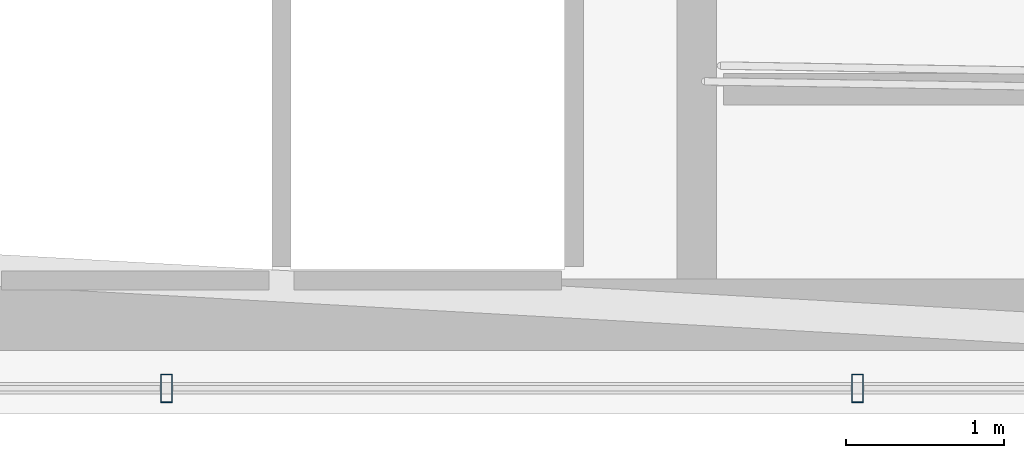
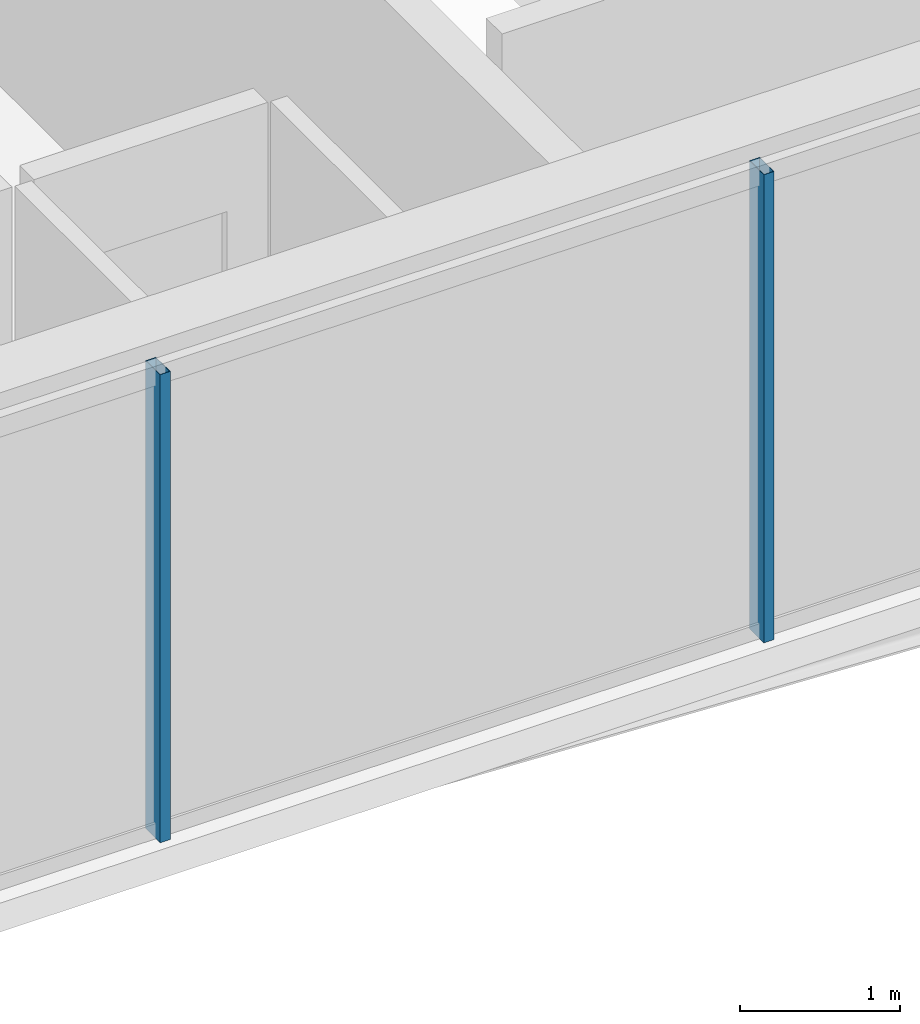
# One storey, part 6 of 33: 2 members, 1 element without a shape of its own.
"""IFC4 building model written with IfcOpenShell, lengths in metres."""

from ifc_helpers import new_model, si_unit, direction, frame, origin, origin_2d, place, context, subcontext, project, spatial, hollow_rectangle, extrude, material, layer, layer_set, material_profile, profile_set, type_object, element, aggregate, save


model = new_model("IFC4")

# Units and contexts
model_context = context("Model", 3, precision=1e-05, world=origin(), true_north=direction((0.0, 1.0)))
body_context = subcontext(model_context, "Body", "Model", "MODEL_VIEW")
ifc_project = project(units=[si_unit("LENGTHUNIT", "METRE"), si_unit("AREAUNIT", "SQUARE_METRE"), si_unit("VOLUMEUNIT", "CUBIC_METRE"), si_unit("PLANEANGLEUNIT", "RADIAN"), si_unit("MASSUNIT", "GRAM", prefix="KILO")], contexts=[model_context])

# Site, building, storey
site_placement = place(None, origin())
site = spatial("IfcSite", under=ifc_project, at=site_placement, CompositionType="ELEMENT")
building_placement = place(site_placement, origin())
building = spatial("IfcBuilding", under=site, at=building_placement, Name="Ndaravel Arena Tower", CompositionType="ELEMENT")
storey_placement = place(building_placement, frame((0.0, 0.0, 43.60009765625)))
storey = spatial("IfcBuildingStorey", under=building, at=storey_placement, Name="L08", CompositionType="ELEMENT", Elevation=43.60009765625)

# Curtain wall, members
ifc_material_1 = material(Name="Aluminium", Category="aluminium")
ifc_layer = layer(ifc_material_1, 0.179931640625)
ifc_layer_set = layer_set([ifc_layer], Name="Aluminium")
curtain_wall_type = type_object("IfcCurtainWallType", Name="CW-SYS-03", PredefinedType="NOTDEFINED", material=ifc_layer_set)
curtain_wall_placement = place(storey_placement, origin())
curtain_wall = element("IfcCurtainWall", 1, at=curtain_wall_placement, inside=storey, type_object=curtain_wall_type, Name="L08 Faceted Crystal Curtain Wall CW-L08-E01", PredefinedType="NOTDEFINED")
ifc_material_2 = material(Name="Aluminium", Category="aluminium")
ifc_material_profile = material_profile(ifc_material_2, hollow_rectangle(XDim=0.074951171875, YDim=0.179931640625, WallThickness=0.00390625, at=origin_2d()), Name="CW MULLION 75x180x4")
ifc_profile_set = profile_set([ifc_material_profile], Name="Aluminium")
member_type = type_object("IfcMemberType", Name="MEM-CW-MUL180", PredefinedType="MULLION", material=ifc_profile_set)
member_1_placement = place(storey_placement, frame((35.447998046875, 5.159912109375, 0.0), z_axis=(0.0, 0.0, 1.0), x_axis=(1.0, 0.0, 0.0)))
member_1 = element("IfcMember", 2, at=member_1_placement, type_object=member_type, Name="CW-L08-E01 Mullion 02", PredefinedType="MULLION", context=body_context, shape_type="SweptSolid", body=[
    extrude(hollow_rectangle(XDim=0.074951171875, YDim=0.179931640625, WallThickness=0.00390625, at=origin_2d()), origin(), (0.0, 0.0, 1.0), 3.579833984375),
])
member_2_placement = place(storey_placement, frame((39.81591796875, 5.159912109375, 0.0), z_axis=(0.0, 0.0, 1.0), x_axis=(1.0, 0.0, 0.0)))
member_2 = element("IfcMember", 3, at=member_2_placement, type_object=member_type, Name="CW-L08-E01 Mullion 03", PredefinedType="MULLION", context=body_context, shape_type="SweptSolid", body=[
    extrude(hollow_rectangle(XDim=0.074951171875, YDim=0.179931640625, WallThickness=0.00390625, at=origin_2d()), origin(), (0.0, 0.0, 1.0), 3.579833984375),
])
aggregate(curtain_wall, [member_1, member_2])

save(model, "model.ifc")
